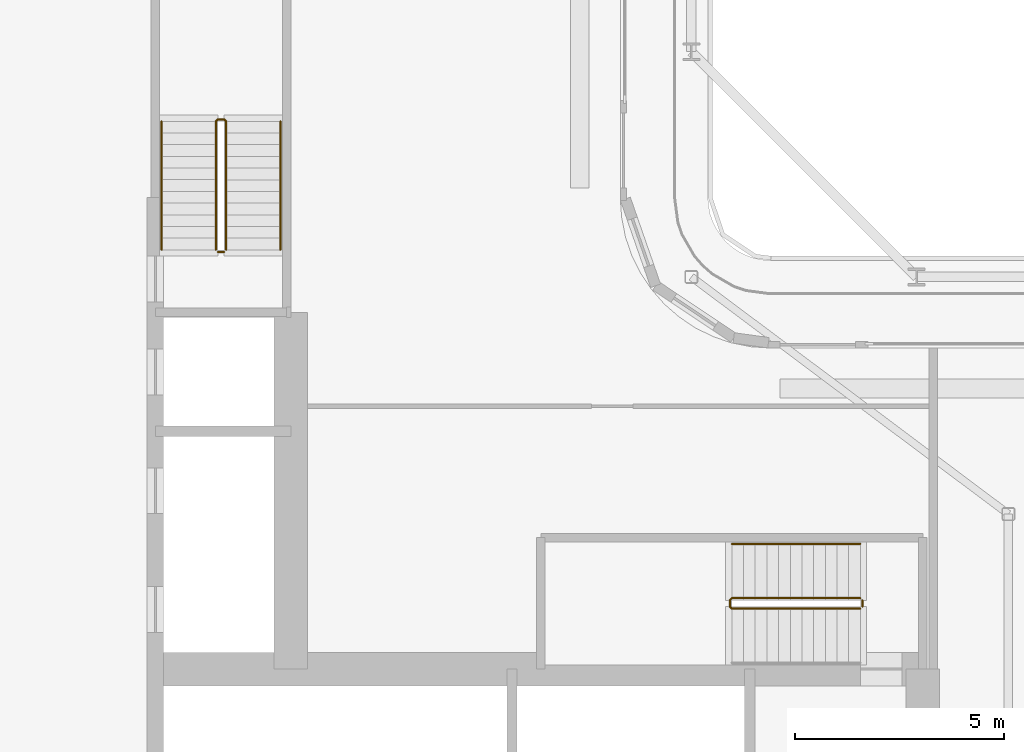
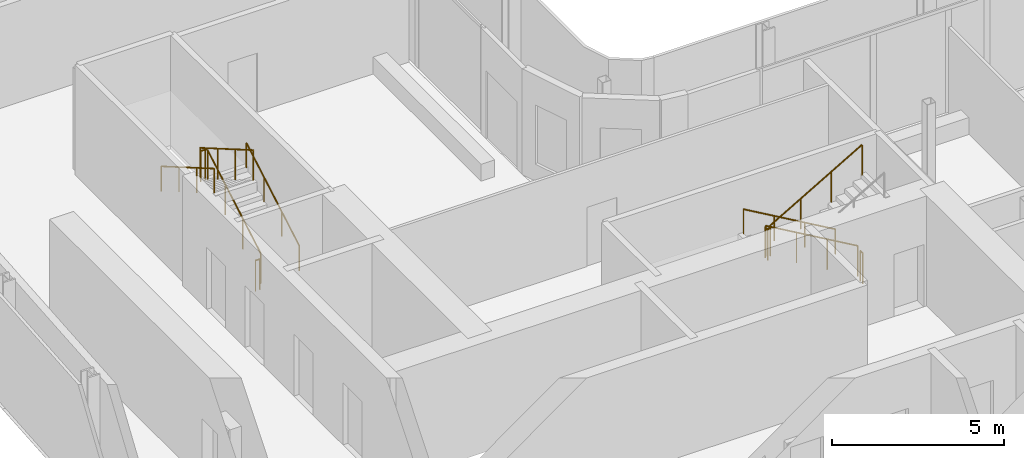
# One storey, part 23 of 28: 7 railings.
"""IFC4 building model written with IfcOpenShell, lengths in metres."""

from ifc_helpers import new_model, si_unit, direction, frame, origin, origin_2d, place, context, subcontext, project, spatial, circle, extrude, material, type_object, element, save


model = new_model("IFC4")

# Units and contexts
model_context = context("Model", 3, precision=1e-05, world=origin(), true_north=direction((0.0, 1.0)))
body_context = subcontext(model_context, "Body", "Model", "MODEL_VIEW")
ifc_project = project(units=[si_unit("LENGTHUNIT", "METRE"), si_unit("AREAUNIT", "SQUARE_METRE"), si_unit("VOLUMEUNIT", "CUBIC_METRE"), si_unit("PLANEANGLEUNIT", "RADIAN"), si_unit("MASSUNIT", "GRAM", prefix="KILO")], contexts=[model_context])

# Site, building, storey
site_placement = place(None, origin())
site = spatial("IfcSite", under=ifc_project, at=site_placement, CompositionType="ELEMENT")
building_placement = place(site_placement, origin())
building = spatial("IfcBuilding", under=site, at=building_placement, Name="Kheshtan School and Residences Tower", CompositionType="ELEMENT")
storey_placement = place(building_placement, frame((0.0, 0.0, 191.60009765625)))
storey = spatial("IfcBuildingStorey", under=building, at=storey_placement, Name="L45", CompositionType="ELEMENT", Elevation=191.60009765625)

# Railings
ifc_material_1 = material(Name="Stainless steel balustrade", Category="steel")
railing_type_1 = type_object("IfcRailingType", Name="Stair guard 1100", PredefinedType="GUARDRAIL", material=ifc_material_1)
railing_1_placement = place(storey_placement, frame((51.64990234375, 37.89990234375, 0.162353515625)))
element("IfcRailing", 1, at=railing_1_placement, inside=storey, type_object=railing_type_1, Name="L45 ST1 stair guard 1", PredefinedType="GUARDRAIL", context=body_context, shape_type="SweptSolid", body=[
    extrude(circle(Radius=0.02392578125, at=origin_2d()), frame((0.0, 0.0, 1.076171875), z_axis=(-0.864873446163, 0.0, 0.501989962173), x_axis=(0.0, -1.0, 0.0)), (0.0, 0.0, 1.0), 3.56103515625),
    extrude(circle(Radius=0.02392578125, at=origin_2d()), frame((-3.079833984375, 0.0, 2.86376953125), z_axis=(-0.708833529934, -0.705375805398, 0.0), x_axis=(0.705375805398, -0.708833529934, 0.0)), (0.0, 0.0, 1.0), 0.070556640625),
    extrude(circle(Radius=0.02392578125, at=origin_2d()), frame((-3.1298828125, -0.0498046875, 2.86376953125), z_axis=(0.0, -1.0, 0.0), x_axis=(1.0, 0.0, 0.0)), (0.0, 0.0, 1.0), 0.150146484375),
    extrude(circle(Radius=0.02392578125, at=origin_2d()), frame((-3.1298828125, -0.199951171875, 2.86376953125), z_axis=(0.282583949758, -0.282583949758, 0.916674763849), x_axis=(0.707106781187, 0.707106781187, 0.0)), (0.0, 0.0, 1.0), 0.177001953125),
    extrude(circle(Radius=0.02392578125, at=origin_2d()), frame((-3.079833984375, -0.25, 3.02587890625), z_axis=(0.864873446163, 0.0, 0.501989962173), x_axis=(0.0, 1.0, 0.0)), (0.0, 0.0, 1.0), 3.56103515625),
    extrude(circle(Radius=0.02099609375, at=origin_2d()), origin(), (0.0, 0.0, 1.0), 1.052001953125),
    extrude(circle(Radius=0.02099609375, at=origin_2d()), frame((-1.026611328125, 0.0, 0.595947265625)), (0.0, 0.0, 1.0), 1.052001953125),
    extrude(circle(Radius=0.02099609375, at=origin_2d()), frame((-2.05322265625, 0.0, 1.191650390625)), (0.0, 0.0, 1.0), 1.052001953125),
    extrude(circle(Radius=0.02099609375, at=origin_2d()), frame((-3.079833984375, 0.0, 1.78759765625)), (0.0, 0.0, 1.0), 1.052001953125),
    extrude(circle(Radius=0.02099609375, at=origin_2d()), frame((-3.1298828125, -0.0498046875, 1.78759765625)), (0.0, 0.0, 1.0), 1.052001953125),
    extrude(circle(Radius=0.02099609375, at=origin_2d()), frame((-3.1298828125, -0.199951171875, 1.78759765625)), (0.0, 0.0, 1.0), 1.052001953125),
    extrude(circle(Radius=0.02099609375, at=origin_2d()), frame((-3.079833984375, -0.25, 1.949951171875)), (0.0, 0.0, 1.0), 1.052001953125),
    extrude(circle(Radius=0.02099609375, at=origin_2d()), frame((-2.05322265625, -0.25, 2.5458984375)), (0.0, 0.0, 1.0), 1.052001953125),
    extrude(circle(Radius=0.02099609375, at=origin_2d()), frame((-1.026611328125, -0.25, 3.1416015625)), (0.0, 0.0, 1.0), 1.052001953125),
    extrude(circle(Radius=0.02099609375, at=origin_2d()), frame((0.0, -0.25, 3.737548828125)), (0.0, 0.0, 1.0), 1.052001953125),
])
railing_2_placement = place(storey_placement, frame((51.699951171875, 37.85009765625, 0.0)))
element("IfcRailing", 2, at=railing_2_placement, inside=storey, type_object=railing_type_1, Name="L45 ST1 stair guard 2", PredefinedType="GUARDRAIL", context=body_context, shape_type="SweptSolid", body=[
    extrude(circle(Radius=0.02392578125, at=origin_2d()), frame((0.0, 0.0, 1.076171875), z_axis=(0.0, -1.0, 0.0), x_axis=(1.0, 0.0, 0.0)), (0.0, 0.0, 1.0), 0.150146484375),
    extrude(circle(Radius=0.02099609375, at=origin_2d()), origin(), (0.0, 0.0, 1.0), 1.052001953125),
    extrude(circle(Radius=0.02099609375, at=origin_2d()), frame((0.0, -0.150146484375, 0.0)), (0.0, 0.0, 1.0), 1.052001953125),
])
railing_3_placement = place(storey_placement, frame((36.449951171875, 46.25, 0.162353515625)))
element("IfcRailing", 3, at=railing_3_placement, inside=storey, type_object=railing_type_1, Name="L45 ST2 stair guard 1", PredefinedType="GUARDRAIL", context=body_context, shape_type="SweptSolid", body=[
    extrude(circle(Radius=0.02392578125, at=origin_2d()), frame((0.0, 0.0, 1.076171875), z_axis=(0.0, 0.864890721111, 0.501960198159), x_axis=(-1.0, 0.0, 0.0)), (0.0, 0.0, 1.0), 3.561279296875),
    extrude(circle(Radius=0.02392578125, at=origin_2d()), frame((0.0, 3.080078125, 2.86376953125), z_axis=(-0.708833529934, 0.705375805398, 0.0), x_axis=(-0.705375805398, -0.708833529934, 0.0)), (0.0, 0.0, 1.0), 0.070556640625),
    extrude(circle(Radius=0.02392578125, at=origin_2d()), frame((-0.050048828125, 3.1298828125, 2.86376953125), z_axis=(-1.0, 0.0, 0.0), x_axis=(0.0, -1.0, 0.0)), (0.0, 0.0, 1.0), 0.14990234375),
    extrude(circle(Radius=0.02392578125, at=origin_2d()), frame((-0.199951171875, 3.1298828125, 2.86376953125), z_axis=(-0.282693820306, -0.281314826061, 0.917031173188), x_axis=(0.705375805398, -0.708833529934, 0.0)), (0.0, 0.0, 1.0), 0.177001953125),
    extrude(circle(Radius=0.02392578125, at=origin_2d()), frame((-0.25, 3.080078125, 3.02587890625), z_axis=(0.0, -0.864890721111, 0.501960198159), x_axis=(1.0, 0.0, 0.0)), (0.0, 0.0, 1.0), 3.561279296875),
    extrude(circle(Radius=0.02099609375, at=origin_2d()), origin(), (0.0, 0.0, 1.0), 1.052001953125),
    extrude(circle(Radius=0.02099609375, at=origin_2d()), frame((0.0, 1.026611328125, 0.595947265625)), (0.0, 0.0, 1.0), 1.052001953125),
    extrude(circle(Radius=0.02099609375, at=origin_2d()), frame((0.0, 2.053466796875, 1.191650390625)), (0.0, 0.0, 1.0), 1.052001953125),
    extrude(circle(Radius=0.02099609375, at=origin_2d()), frame((0.0, 3.080078125, 1.78759765625)), (0.0, 0.0, 1.0), 1.052001953125),
    extrude(circle(Radius=0.02099609375, at=origin_2d()), frame((-0.050048828125, 3.1298828125, 1.78759765625)), (0.0, 0.0, 1.0), 1.052001953125),
    extrude(circle(Radius=0.02099609375, at=origin_2d()), frame((-0.199951171875, 3.1298828125, 1.78759765625)), (0.0, 0.0, 1.0), 1.052001953125),
    extrude(circle(Radius=0.02099609375, at=origin_2d()), frame((-0.25, 3.080078125, 1.949951171875)), (0.0, 0.0, 1.0), 1.052001953125),
    extrude(circle(Radius=0.02099609375, at=origin_2d()), frame((-0.25, 2.053466796875, 2.5458984375)), (0.0, 0.0, 1.0), 1.052001953125),
    extrude(circle(Radius=0.02099609375, at=origin_2d()), frame((-0.25, 1.026611328125, 3.1416015625)), (0.0, 0.0, 1.0), 1.052001953125),
    extrude(circle(Radius=0.02099609375, at=origin_2d()), frame((-0.25, 0.0, 3.737548828125)), (0.0, 0.0, 1.0), 1.052001953125),
])
railing_4_placement = place(storey_placement, frame((36.39990234375, 46.199951171875, 0.0)))
element("IfcRailing", 4, at=railing_4_placement, inside=storey, type_object=railing_type_1, Name="L45 ST2 stair guard 2", PredefinedType="GUARDRAIL", context=body_context, shape_type="SweptSolid", body=[
    extrude(circle(Radius=0.02392578125, at=origin_2d()), frame((0.0, 0.0, 1.076171875), z_axis=(-1.0, 0.0, 0.0), x_axis=(0.0, -1.0, 0.0)), (0.0, 0.0, 1.0), 0.14990234375),
    extrude(circle(Radius=0.02099609375, at=origin_2d()), origin(), (0.0, 0.0, 1.0), 1.052001953125),
    extrude(circle(Radius=0.02099609375, at=origin_2d()), frame((-0.14990234375, 0.0, 0.0)), (0.0, 0.0, 1.0), 1.052001953125),
])
ifc_material_2 = material(Name="Stainless steel handrail", Category="steel")
railing_type_2 = type_object("IfcRailingType", Name="Stair handrail 900", PredefinedType="HANDRAIL", material=ifc_material_2)
railing_5_placement = place(storey_placement, frame((51.64990234375, 39.199951171875, 0.162353515625)))
element("IfcRailing", 5, at=railing_5_placement, inside=storey, type_object=railing_type_2, Name="L45 ST1 stair handrail 1", PredefinedType="HANDRAIL", context=body_context, shape_type="SweptSolid", body=[
    extrude(circle(Radius=0.02392578125, at=origin_2d()), frame((0.0, 0.0, 0.8759765625), z_axis=(-0.864873446163, 0.0, 0.501989962173), x_axis=(0.0, -1.0, 0.0)), (0.0, 0.0, 1.0), 3.56103515625),
    extrude(circle(Radius=0.02099609375, at=origin_2d()), origin(), (0.0, 0.0, 1.0), 0.851806640625),
    extrude(circle(Radius=0.02099609375, at=origin_2d()), frame((-1.026611328125, 0.0, 0.595947265625)), (0.0, 0.0, 1.0), 0.851806640625),
    extrude(circle(Radius=0.02099609375, at=origin_2d()), frame((-2.05322265625, 0.0, 1.191650390625)), (0.0, 0.0, 1.0), 0.851806640625),
    extrude(circle(Radius=0.02099609375, at=origin_2d()), frame((-3.079833984375, 0.0, 1.78759765625)), (0.0, 0.0, 1.0), 0.851806640625),
])
railing_6_placement = place(storey_placement, frame((37.75, 46.25, 0.162353515625)))
element("IfcRailing", 6, at=railing_6_placement, inside=storey, type_object=railing_type_2, Name="L45 ST2 stair handrail 1", PredefinedType="HANDRAIL", context=body_context, shape_type="SweptSolid", body=[
    extrude(circle(Radius=0.02392578125, at=origin_2d()), frame((0.0, 0.0, 0.8759765625), z_axis=(0.0, 0.864890721111, 0.501960198159), x_axis=(-1.0, 0.0, 0.0)), (0.0, 0.0, 1.0), 3.561279296875),
    extrude(circle(Radius=0.02099609375, at=origin_2d()), origin(), (0.0, 0.0, 1.0), 0.851806640625),
    extrude(circle(Radius=0.02099609375, at=origin_2d()), frame((0.0, 1.026611328125, 0.595947265625)), (0.0, 0.0, 1.0), 0.851806640625),
    extrude(circle(Radius=0.02099609375, at=origin_2d()), frame((0.0, 2.053466796875, 1.191650390625)), (0.0, 0.0, 1.0), 0.851806640625),
    extrude(circle(Radius=0.02099609375, at=origin_2d()), frame((0.0, 3.080078125, 1.78759765625)), (0.0, 0.0, 1.0), 0.851806640625),
])
railing_7_placement = place(storey_placement, frame((34.89990234375, 49.330078125, 2.1123046875)))
element("IfcRailing", 7, at=railing_7_placement, inside=storey, type_object=railing_type_2, Name="L45 ST2 stair handrail 2", PredefinedType="HANDRAIL", context=body_context, shape_type="SweptSolid", body=[
    extrude(circle(Radius=0.02392578125, at=origin_2d()), frame((0.0, 0.0, 0.8759765625), z_axis=(0.0, -0.864890721111, 0.501960198159), x_axis=(1.0, 0.0, 0.0)), (0.0, 0.0, 1.0), 3.561279296875),
    extrude(circle(Radius=0.02099609375, at=origin_2d()), origin(), (0.0, 0.0, 1.0), 0.851806640625),
    extrude(circle(Radius=0.02099609375, at=origin_2d()), frame((0.0, -1.026611328125, 0.595947265625)), (0.0, 0.0, 1.0), 0.851806640625),
    extrude(circle(Radius=0.02099609375, at=origin_2d()), frame((0.0, -2.053466796875, 1.191650390625)), (0.0, 0.0, 1.0), 0.851806640625),
    extrude(circle(Radius=0.02099609375, at=origin_2d()), frame((0.0, -3.080078125, 1.78759765625)), (0.0, 0.0, 1.0), 0.851806640625),
])

save(model, "model.ifc")
